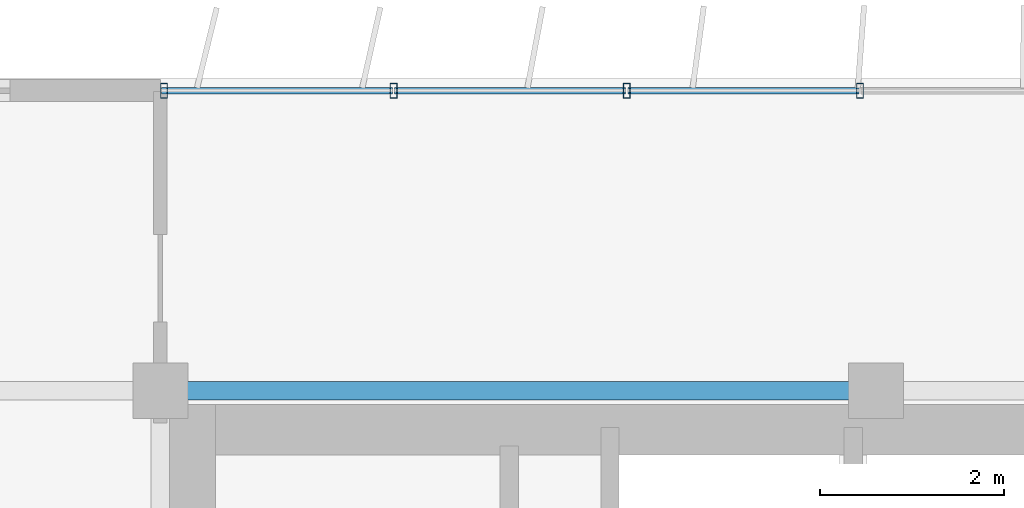
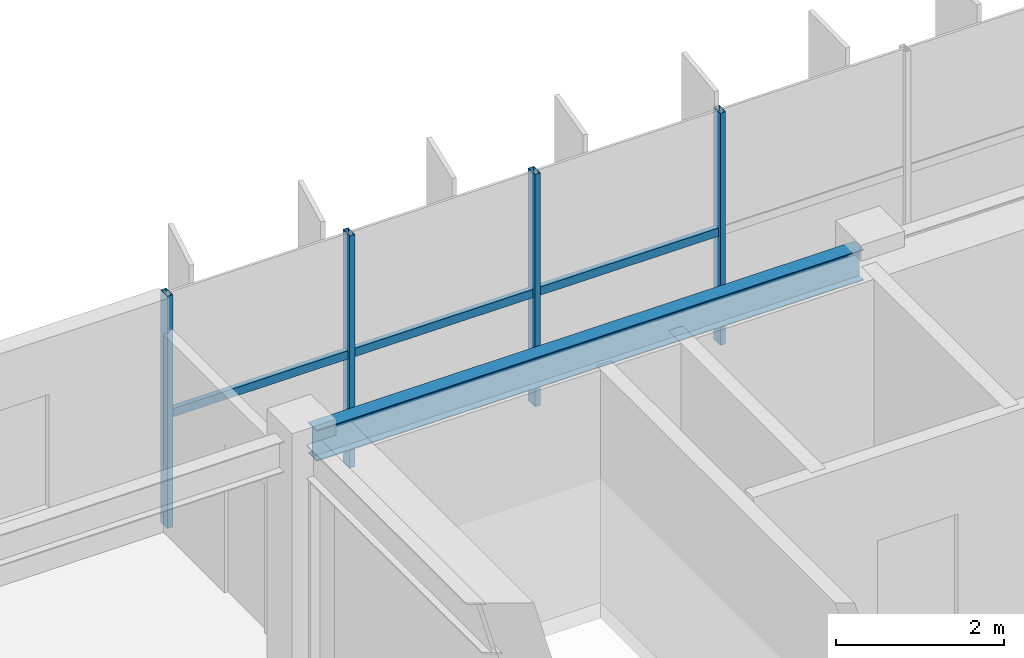
# One storey, part 6 of 22: 7 members, 1 beam, 1 element without a shape of its own.
"""IFC4 building model written with IfcOpenShell, lengths in metres."""

from ifc_helpers import new_model, si_unit, direction, frame, origin, origin_2d, place, context, subcontext, project, spatial, hollow_rectangle, i_section, extrude, source, transform, mapped, material, material_profile, profile_set, type_object, element, aggregate, save


model = new_model("IFC4")

# Units and contexts
model_context = context("Model", 3, precision=1e-05, world=origin(), true_north=direction((0.0, 1.0)))
body_context = subcontext(model_context, "Body", "Model", "MODEL_VIEW")
ifc_project = project(units=[si_unit("LENGTHUNIT", "METRE"), si_unit("AREAUNIT", "SQUARE_METRE"), si_unit("VOLUMEUNIT", "CUBIC_METRE"), si_unit("PLANEANGLEUNIT", "RADIAN"), si_unit("MASSUNIT", "GRAM", prefix="KILO")], contexts=[model_context])

# Site, building, storey
site_placement = place(None, origin())
site = spatial("IfcSite", under=ifc_project, at=site_placement, CompositionType="ELEMENT")
building_placement = place(site_placement, origin())
building = spatial("IfcBuilding", under=site, at=building_placement, Name="Trelvane Seafront Commons", CompositionType="ELEMENT")
storey_placement = place(building_placement, frame((0.0, 0.0, 270.300048828125)))
storey = spatial("IfcBuildingStorey", under=building, at=storey_placement, Name="L70", CompositionType="ELEMENT", Elevation=270.300048828125)

# Beam
ifc_material_1 = material(Name="Steel SM355 (S355)", Category="steel")
ifc_material_profile_1 = material_profile(ifc_material_1, i_section(OverallWidth=0.199951171875, OverallDepth=0.449951171875, WebThickness=0.009033203125, FlangeThickness=0.013916015625, at=origin_2d()), Name="H-450x200x9x14")
ifc_profile_set_1 = profile_set([ifc_material_profile_1], Name="Steel SM355 (S355)")
beam_type = type_object("IfcBeamType", Name="STR-SPD-H450", PredefinedType="SPANDREL", material=ifc_profile_set_1)
shared_shape_1 = source(origin(), body_context, "Body", "SweptSolid", [
    extrude(i_section(OverallWidth=0.199951171875, OverallDepth=0.449951171875, WebThickness=0.009033203125, FlangeThickness=0.013916015625, at=origin_2d()), origin(), (0.0, 0.0, 1.0), 7.5),
])
beam_placement = place(storey_placement, frame((15.75, 45.10009765625, 3.14501953125), z_axis=(1.0, 0.0, 0.0), x_axis=(0.0, 1.0, 0.0)))
element("IfcBeam", 1, at=beam_placement, inside=storey, type_object=beam_type, Name="L70 Primary Girder G-23", PredefinedType="SPANDREL", context=body_context, shape_type="MappedRepresentation", body=[
    mapped(shared_shape_1, transform((0.0, 0.0, 0.0), x_axis=(1.0, 0.0, 0.0), y_axis=(0.0, 1.0, 0.0), z_axis=(0.0, 0.0, 1.0), scale=1.0)),
])

# Curtain wall, members
ifc_material_2 = material(Name="Anodised pale-silver aluminium", Category="aluminium")
curtain_wall_type = type_object("IfcCurtainWallType", Name="ARCH-CW5-UPTOWER", PredefinedType="NOTDEFINED", material=ifc_material_2)
curtain_wall_placement = place(storey_placement, origin())
curtain_wall = element("IfcCurtainWall", 2, at=curtain_wall_placement, inside=storey, type_object=curtain_wall_type, Name="CW-L70-0114", PredefinedType="NOTDEFINED")
ifc_material_profile_2 = material_profile(ifc_material_2, hollow_rectangle(XDim=0.070068359375, YDim=0.1201171875, WallThickness=0.00390625, at=origin_2d()), Name="TRAN-70x120x4")
ifc_profile_set_2 = profile_set([ifc_material_profile_2], Name="Anodised pale-silver aluminium")
member_type_1 = type_object("IfcMemberType", Name="ARCH-CW-TRAN-120", PredefinedType="USERDEFINED", material=ifc_profile_set_2)
shared_shape_2 = source(origin(), body_context, "Body", "SweptSolid", [
    extrude(hollow_rectangle(XDim=0.070068359375, YDim=0.1201171875, WallThickness=0.00390625, at=origin_2d()), origin(), (0.0, 0.0, 1.0), 2.51708984375),
])
member_1_placement = place(storey_placement, frame((15.612060546875, 48.3701171875, 1.617919921875), z_axis=(1.0, 0.0, 0.0), x_axis=(0.0, 1.0, 0.0)))
member_1 = element("IfcMember", 3, at=member_1_placement, type_object=member_type_1, Name="CW-L70-0114-T00", ObjectType="TRANSOM", PredefinedType="USERDEFINED", context=body_context, shape_type="MappedRepresentation", body=[
    mapped(shared_shape_2, transform((0.0, 0.0, 0.0), x_axis=(1.0, 0.0, 0.0), y_axis=(0.0, 1.0, 0.0), z_axis=(0.0, 0.0, 1.0), scale=1.0)),
])
member_2_placement = place(storey_placement, frame((18.1533203125, 48.3701171875, 1.617919921875), z_axis=(1.0, 0.0, 0.0), x_axis=(0.0, 1.0, 0.0)))
member_2 = element("IfcMember", 4, at=member_2_placement, type_object=member_type_1, Name="CW-L70-0114-T01", ObjectType="TRANSOM", PredefinedType="USERDEFINED", context=body_context, shape_type="MappedRepresentation", body=[
    mapped(shared_shape_2, transform((0.0, 0.0, 0.0), x_axis=(1.0, 0.0, 0.0), y_axis=(0.0, 1.0, 0.0), z_axis=(0.0, 0.0, 1.0), scale=1.0)),
])
member_3_placement = place(storey_placement, frame((20.6943359375, 48.3701171875, 1.617919921875), z_axis=(1.0, 0.0, 0.0), x_axis=(0.0, 1.0, 0.0)))
member_3 = element("IfcMember", 5, at=member_3_placement, type_object=member_type_1, Name="CW-L70-0114-T02", ObjectType="TRANSOM", PredefinedType="USERDEFINED", context=body_context, shape_type="MappedRepresentation", body=[
    mapped(shared_shape_2, transform((0.0, 0.0, 0.0), x_axis=(1.0, 0.0, 0.0), y_axis=(0.0, 1.0, 0.0), z_axis=(0.0, 0.0, 1.0), scale=1.0)),
])
ifc_material_profile_3 = material_profile(ifc_material_2, hollow_rectangle(XDim=0.074951171875, YDim=0.159912109375, WallThickness=0.00390625, at=origin_2d()), Name="MULL-75x160x4")
ifc_profile_set_3 = profile_set([ifc_material_profile_3], Name="Anodised pale-silver aluminium")
member_type_2 = type_object("IfcMemberType", Name="ARCH-CW-MULL-160", PredefinedType="MULLION", material=ifc_profile_set_3)
shared_shape_3 = source(origin(), body_context, "Body", "SweptSolid", [
    extrude(hollow_rectangle(XDim=0.074951171875, YDim=0.159912109375, WallThickness=0.00390625, at=origin_2d()), origin(), (0.0, 0.0, 1.0), 3.369873046875),
])
member_4_placement = place(storey_placement, frame((15.639892578125, 48.3701171875, 0.0), z_axis=(0.0, 0.0, 1.0), x_axis=(1.0, 0.0, 0.0)))
member_4 = element("IfcMember", 6, at=member_4_placement, type_object=member_type_2, Name="CW-L70-0114-M00", PredefinedType="MULLION", context=body_context, shape_type="MappedRepresentation", body=[
    mapped(shared_shape_3, transform((0.0, 0.0, 0.0), x_axis=(1.0, 0.0, 0.0), y_axis=(0.0, 1.0, 0.0), z_axis=(0.0, 0.0, 1.0), scale=1.0)),
])
member_5_placement = place(storey_placement, frame((18.14111328125, 48.3701171875, 0.0), z_axis=(0.0, 0.0, 1.0), x_axis=(1.0, 0.0, 0.0)))
member_5 = element("IfcMember", 7, at=member_5_placement, type_object=member_type_2, Name="CW-L70-0114-M01", PredefinedType="MULLION", context=body_context, shape_type="MappedRepresentation", body=[
    mapped(shared_shape_3, transform((0.0, 0.0, 0.0), x_axis=(1.0, 0.0, 0.0), y_axis=(0.0, 1.0, 0.0), z_axis=(0.0, 0.0, 1.0), scale=1.0)),
])
member_6_placement = place(storey_placement, frame((20.682373046875, 48.3701171875, 0.0), z_axis=(0.0, 0.0, 1.0), x_axis=(1.0, 0.0, 0.0)))
member_6 = element("IfcMember", 8, at=member_6_placement, type_object=member_type_2, Name="CW-L70-0114-M02", PredefinedType="MULLION", context=body_context, shape_type="MappedRepresentation", body=[
    mapped(shared_shape_3, transform((0.0, 0.0, 0.0), x_axis=(1.0, 0.0, 0.0), y_axis=(0.0, 1.0, 0.0), z_axis=(0.0, 0.0, 1.0), scale=1.0)),
])
member_7_placement = place(storey_placement, frame((23.223388671875, 48.3701171875, 0.0), z_axis=(0.0, 0.0, 1.0), x_axis=(1.0, 0.0, 0.0)))
member_7 = element("IfcMember", 9, at=member_7_placement, type_object=member_type_2, Name="CW-L70-0114-M03", PredefinedType="MULLION", context=body_context, shape_type="MappedRepresentation", body=[
    mapped(shared_shape_3, transform((0.0, 0.0, 0.0), x_axis=(1.0, 0.0, 0.0), y_axis=(0.0, 1.0, 0.0), z_axis=(0.0, 0.0, 1.0), scale=1.0)),
])
aggregate(curtain_wall, [member_4, member_5, member_6, member_7, member_1, member_2, member_3])

save(model, "model.ifc")
